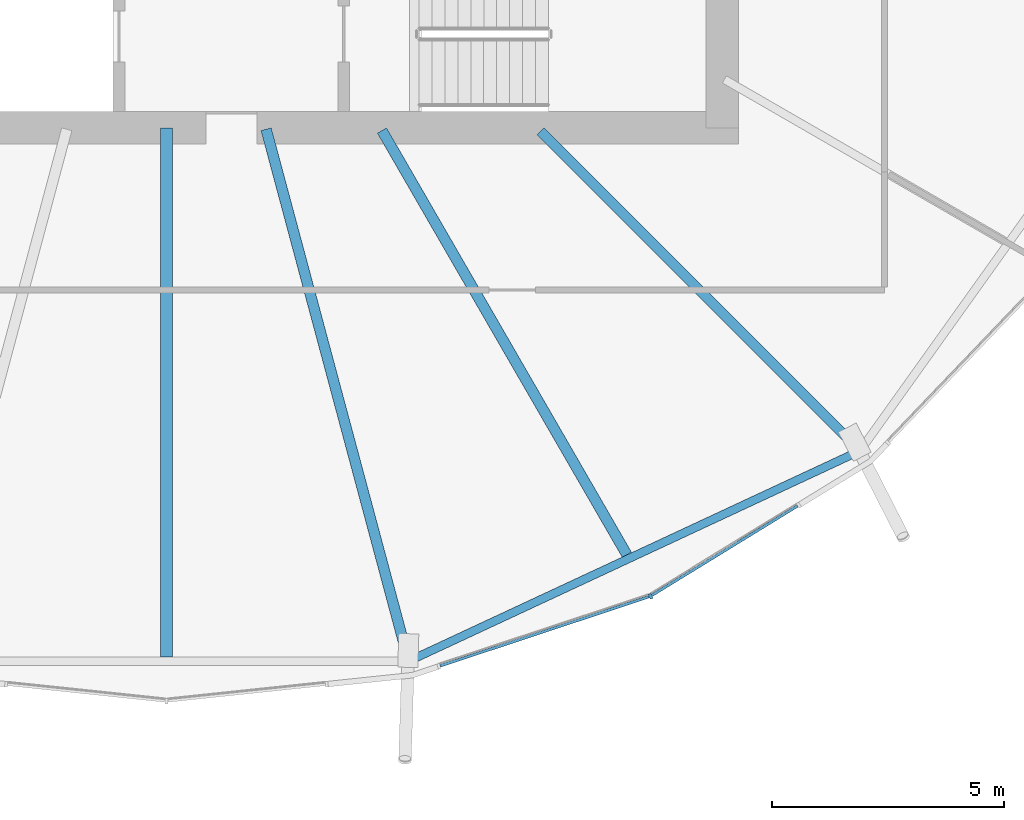
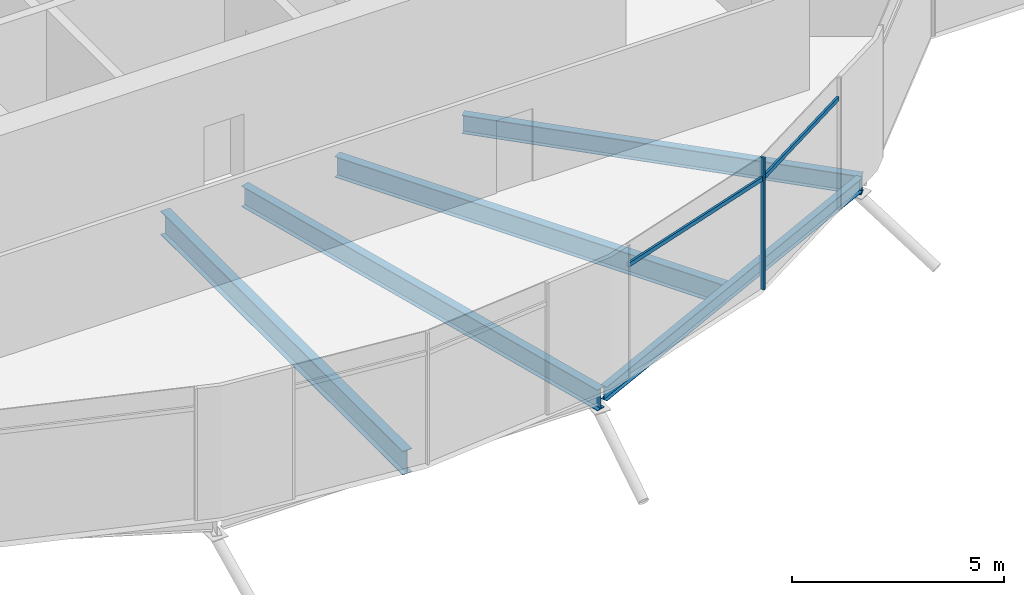
# One storey, part 4 of 40: 5 beams, 3 members, 1 element without a shape of its own.
"""IFC4 building model written with IfcOpenShell, lengths in metres."""

from ifc_helpers import new_model, si_unit, direction, frame, origin, origin_2d, place, context, subcontext, project, spatial, rectangle, i_section, extrude, material, material_profile, profile_set, type_object, element, aggregate, save


model = new_model("IFC4")

# Units and contexts
model_context = context("Model", 3, precision=1e-05, world=origin(), true_north=direction((0.0, 1.0)))
body_context = subcontext(model_context, "Body", "Model", "MODEL_VIEW")
ifc_project = project(units=[si_unit("LENGTHUNIT", "METRE"), si_unit("AREAUNIT", "SQUARE_METRE"), si_unit("VOLUMEUNIT", "CUBIC_METRE"), si_unit("PLANEANGLEUNIT", "RADIAN"), si_unit("MASSUNIT", "GRAM", prefix="KILO")], contexts=[model_context])

# Site, building, storey
site_placement = place(None, origin())
site = spatial("IfcSite", under=ifc_project, at=site_placement, CompositionType="ELEMENT")
building_placement = place(site_placement, origin())
building = spatial("IfcBuilding", under=site, at=building_placement, Name="Rimbun Link Towers", CompositionType="ELEMENT")
storey_placement = place(building_placement, frame((0.0, 0.0, 150.60009765625)))
storey = spatial("IfcBuildingStorey", under=building, at=storey_placement, Name="L36", CompositionType="ELEMENT", Elevation=150.60009765625)

# Curtain wall, members
ifc_material_1 = material(Name="Aluminium 6063-T6 and low-iron glass", Category="aluminium")
curtain_wall_type = type_object("IfcCurtainWallType", Name="CW4 link block wall", PredefinedType="NOTDEFINED", material=ifc_material_1)
curtain_wall_placement = place(storey_placement, origin())
curtain_wall = element("IfcCurtainWall", 1, at=curtain_wall_placement, inside=storey, type_object=curtain_wall_type, Name="CW4 L36 T1", PredefinedType="NOTDEFINED")
ifc_material_2 = material(Name="Aluminium 6063-T6", Category="aluminium")
ifc_material_profile_1 = material_profile(ifc_material_2, rectangle(XDim=0.1201171875, YDim=0.06005859375, at=origin_2d()), Name="MULLION 60X120")
ifc_profile_set_1 = profile_set([ifc_material_profile_1], Name="Aluminium 6063-T6")
member_type_1 = type_object("IfcMemberType", Name="CW4 mullion 60X120", PredefinedType="MULLION", material=ifc_profile_set_1)
member_1_placement = place(storey_placement, frame((-21.29931640625, -18.11181640625, 0.0), z_axis=(0.0, 0.0, 1.0), x_axis=(0.421697332152, -0.906736654192, 0.0)))
member_1 = element("IfcMember", 2, at=member_1_placement, type_object=member_type_1, Name="CW4 mullion", PredefinedType="MULLION", context=body_context, shape_type="SweptSolid", body=[
    extrude(rectangle(XDim=0.1201171875, YDim=0.06005859375, at=origin_2d()), origin(), (0.0, 0.0, 1.0), 3.7998046875),
])
ifc_material_3 = material(Name="Aluminium 6063-T6", Category="aluminium")
ifc_material_profile_2 = material_profile(ifc_material_3, rectangle(XDim=0.06005859375, YDim=0.1201171875, at=origin_2d()), Name="TRANSOM 60X120")
ifc_profile_set_2 = profile_set([ifc_material_profile_2], Name="Aluminium 6063-T6")
member_type_2 = type_object("IfcMemberType", Name="CW4 transom 60X120", PredefinedType="USERDEFINED", material=ifc_profile_set_2)
member_2_placement = place(storey_placement, frame((-21.334716796875, -18.1220703125, 3.199951171875), z_axis=(-0.949232304469, -0.314575956093, 0.0), x_axis=(0.314575956093, -0.949232304469, 0.0)))
member_2 = element("IfcMember", 3, at=member_2_placement, type_object=member_type_2, Name="CW4 transom", ObjectType="TRANSOM", PredefinedType="USERDEFINED", context=body_context, shape_type="SweptSolid", body=[
    extrude(rectangle(XDim=0.06005859375, YDim=0.1201171875, at=origin_2d()), origin(), (0.0, 0.0, 1.0), 4.745849609375),
])
member_3_placement = place(storey_placement, frame((-18.125, -16.1611328125, 3.199951171875), z_axis=(-0.85218054514, -0.523247855691, 0.0), x_axis=(0.523247855691, -0.85218054514, 0.0)))
member_3 = element("IfcMember", 4, at=member_3_placement, type_object=member_type_2, Name="CW4 transom", ObjectType="TRANSOM", PredefinedType="USERDEFINED", context=body_context, shape_type="SweptSolid", body=[
    extrude(rectangle(XDim=0.06005859375, YDim=0.1201171875, at=origin_2d()), origin(), (0.0, 0.0, 1.0), 3.688720703125),
])
aggregate(curtain_wall, [member_1, member_2, member_3])

# Beams
ifc_material_4 = material(Name="Steel S355J2", Category="steel")
ifc_material_profile_3 = material_profile(ifc_material_4, i_section(OverallWidth=0.177978515625, OverallDepth=0.406494140625, WebThickness=0.0078125, FlangeThickness=0.0126953125, at=origin_2d()), Name="UB 406x178x60")
ifc_profile_set_3 = profile_set([ifc_material_profile_3], Name="Steel S355J2")
beam_type_1 = type_object("IfcBeamType", Name="UB 406x178x60", PredefinedType="BEAM", material=ifc_profile_set_3)
beam_1_placement = place(storey_placement, frame((-26.415771484375, -19.46435546875, -0.38330078125), z_axis=(0.906400585734, 0.422419197222, 0.0), x_axis=(-0.422419197222, 0.906400585734, 0.0)))
element("IfcBeam", 5, at=beam_1_placement, inside=storey, type_object=beam_type_1, Name="Edge beam T1 L36 19-21", PredefinedType="BEAM", context=body_context, shape_type="SweptSolid", body=[
    extrude(i_section(OverallWidth=0.177978515625, OverallDepth=0.406494140625, WebThickness=0.0078125, FlangeThickness=0.0126953125, at=origin_2d()), origin(), (0.0, 0.0, 1.0), 10.521240234375),
])
ifc_material_5 = material(Name="Steel S355J2", Category="steel")
ifc_material_profile_4 = material_profile(ifc_material_5, i_section(OverallWidth=0.209228515625, OverallDepth=0.533203125, WebThickness=0.010009765625, FlangeThickness=0.015625, at=origin_2d()), Name="UB 533x210x92")
ifc_profile_set_4 = profile_set([ifc_material_profile_4], Name="Steel S355J2")
beam_type_2 = type_object("IfcBeamType", Name="UB 533x210x92", PredefinedType="BEAM", material=ifc_profile_set_4)
beam_2_placement = place(storey_placement, frame((-23.67529296875, -8.07470703125, -0.44677734375), z_axis=(0.707106781187, -0.707106781187, 0.0), x_axis=(0.707106781187, 0.707106781187, 0.0)))
element("IfcBeam", 6, at=beam_2_placement, inside=storey, type_object=beam_type_2, Name="Radial beam T1 L36 21", PredefinedType="BEAM", context=body_context, shape_type="SweptSolid", body=[
    extrude(i_section(OverallWidth=0.209228515625, OverallDepth=0.533203125, WebThickness=0.010009765625, FlangeThickness=0.015625, at=origin_2d()), origin(), (0.0, 0.0, 1.0), 9.7548828125),
])
ifc_material_6 = material(Name="Steel S355J2", Category="steel")
ifc_material_profile_5 = material_profile(ifc_material_6, i_section(OverallWidth=0.2275390625, OverallDepth=0.6025390625, WebThickness=0.010498046875, FlangeThickness=0.014892578125, at=origin_2d()), Name="UB 610x229x101")
ifc_profile_set_5 = profile_set([ifc_material_profile_5], Name="Steel S355J2")
beam_type_3 = type_object("IfcBeamType", Name="UB 610x229x101", PredefinedType="BEAM", material=ifc_profile_set_5)
beam_3_placement = place(storey_placement, frame((-29.598388671875, -8.030517578125, -0.4814453125), z_axis=(0.258824365794, -0.965924400598, 0.0), x_axis=(0.965924400598, 0.258824365794, 0.0)))
element("IfcBeam", 7, at=beam_3_placement, inside=storey, type_object=beam_type_3, Name="Radial beam T1 L36 19", PredefinedType="BEAM", context=body_context, shape_type="SweptSolid", body=[
    extrude(i_section(OverallWidth=0.2275390625, OverallDepth=0.6025390625, WebThickness=0.010498046875, FlangeThickness=0.014892578125, at=origin_2d()), origin(), (0.0, 0.0, 1.0), 11.887939453125),
])
beam_4_placement = place(storey_placement, frame((-27.097900390625, -8.057861328125, -0.4814453125), z_axis=(0.500014158692, -0.866017229106, 0.0), x_axis=(0.866017229106, 0.500014158692, 0.0)))
element("IfcBeam", 8, at=beam_4_placement, inside=storey, type_object=beam_type_3, Name="Radial beam T1 L36 20", PredefinedType="BEAM", context=body_context, shape_type="SweptSolid", body=[
    extrude(i_section(OverallWidth=0.2275390625, OverallDepth=0.6025390625, WebThickness=0.010498046875, FlangeThickness=0.014892578125, at=origin_2d()), origin(), (0.0, 0.0, 1.0), 10.577392578125),
])
ifc_material_7 = material(Name="Steel S355J2", Category="steel")
ifc_material_profile_6 = material_profile(ifc_material_7, i_section(OverallWidth=0.253662109375, OverallDepth=0.68359375, WebThickness=0.012451171875, FlangeThickness=0.01904296875, at=origin_2d()), Name="UB 686x254x140")
ifc_profile_set_6 = profile_set([ifc_material_profile_6], Name="Steel S355J2")
beam_type_4 = type_object("IfcBeamType", Name="UB 686x254x140", PredefinedType="BEAM", material=ifc_profile_set_6)
beam_5_placement = place(storey_placement, frame((-31.75, -8.0009765625, -0.52197265625), z_axis=(0.0, -1.0, 0.0), x_axis=(1.0, 0.0, 0.0)))
element("IfcBeam", 9, at=beam_5_placement, inside=storey, type_object=beam_type_4, Name="Radial beam T1 L36 18", PredefinedType="BEAM", context=body_context, shape_type="SweptSolid", body=[
    extrude(i_section(OverallWidth=0.253662109375, OverallDepth=0.68359375, WebThickness=0.012451171875, FlangeThickness=0.01904296875, at=origin_2d()), origin(), (0.0, 0.0, 1.0), 11.422607421875),
])

save(model, "model.ifc")
